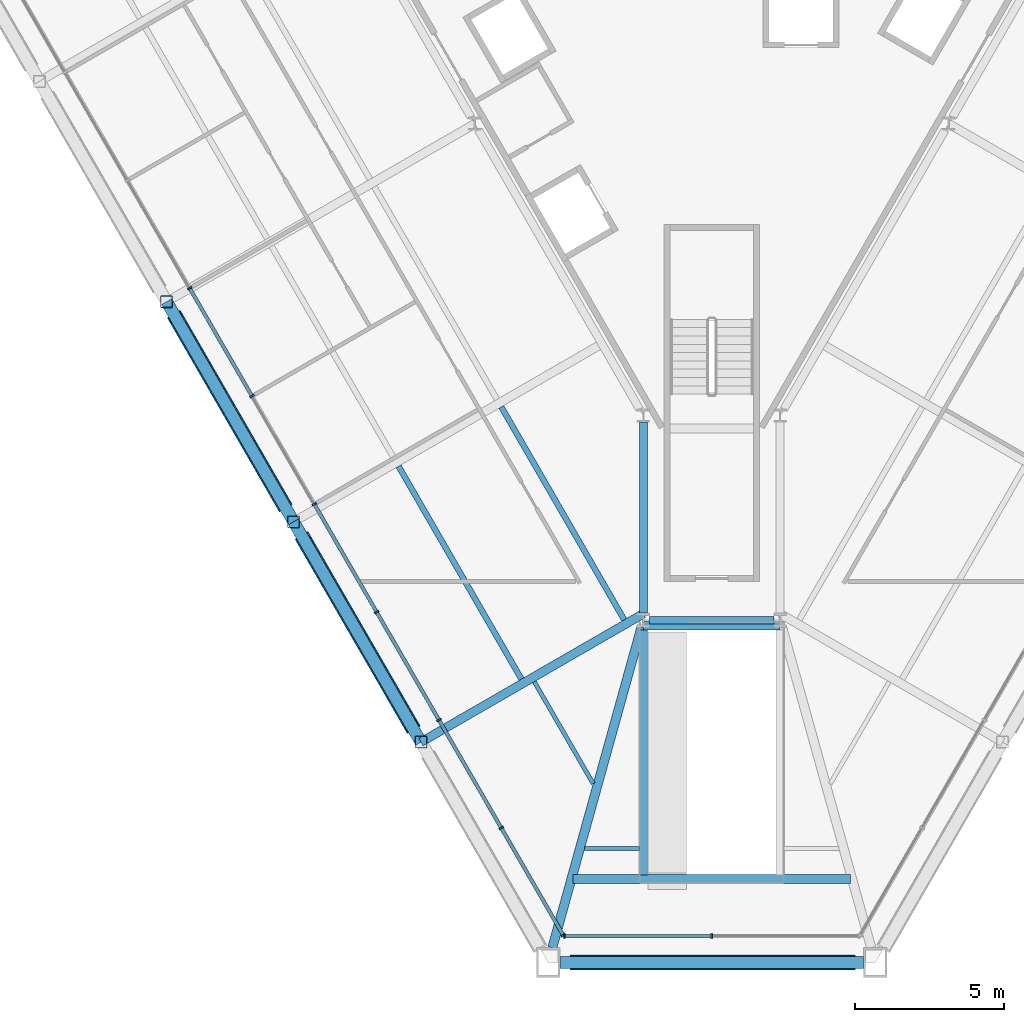
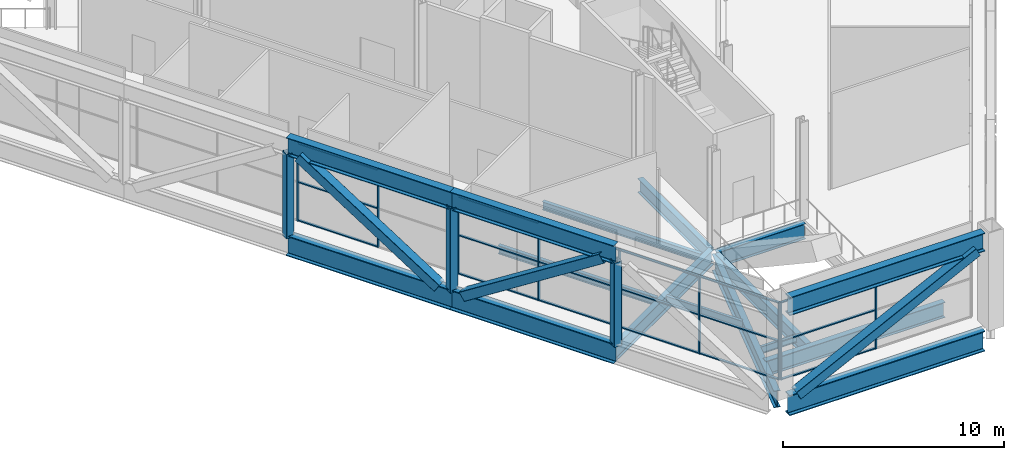
# One storey, part 2 of 20: 39 members, 11 beams, 2 elements without a shape of their own.
"""IFC4 building model written with IfcOpenShell, lengths in metres."""

from ifc_helpers import new_model, si_unit, direction, frame, origin, origin_2d, place, context, subcontext, project, spatial, rectangle, hollow_rectangle, i_section, extrude, material, layer, layer_set, material_profile, profile_set, type_object, element, aggregate, save


model = new_model("IFC4")

# Units and contexts
model_context = context("Model", 3, precision=1e-05, world=origin(), true_north=direction((0.0, 1.0)))
body_context = subcontext(model_context, "Body", "Model", "MODEL_VIEW")
ifc_project = project(units=[si_unit("LENGTHUNIT", "METRE"), si_unit("AREAUNIT", "SQUARE_METRE"), si_unit("VOLUMEUNIT", "CUBIC_METRE"), si_unit("PLANEANGLEUNIT", "RADIAN"), si_unit("MASSUNIT", "GRAM", prefix="KILO")], contexts=[model_context])

# Site, building, storey
site_placement = place(None, origin())
site = spatial("IfcSite", under=ifc_project, at=site_placement, CompositionType="ELEMENT")
building_placement = place(site_placement, origin())
building = spatial("IfcBuilding", under=site, at=building_placement, Name="Verrane Prism Tower", CompositionType="ELEMENT")
storey_placement = place(building_placement, frame((0.0, 0.0, 12.0)))
storey = spatial("IfcBuildingStorey", under=building, at=storey_placement, Name="L01", CompositionType="ELEMENT", Elevation=12.0)

# Curtain wall, members
ifc_material_1 = material(Name="Aluminium and glass curtain wall", Category="aluminium")
ifc_layer = layer(ifc_material_1, 0.199951171875)
ifc_layer_set = layer_set([ifc_layer], Name="CWB-1 retail curtain wall")
curtain_wall_type = type_object("IfcCurtainWallType", Name="CWB-1 retail curtain wall", PredefinedType="NOTDEFINED", material=ifc_layer_set)
curtain_wall_1_placement = place(storey_placement, origin())
curtain_wall_1 = element("IfcCurtainWall", 1, at=curtain_wall_1_placement, inside=storey, type_object=curtain_wall_type, Name="Retail curtain wall L01 4", PredefinedType="NOTDEFINED")
ifc_material_2 = material(Name="Aluminium", Category="aluminium")
ifc_material_profile_1 = material_profile(ifc_material_2, rectangle(XDim=0.159912109375, YDim=0.06005859375, at=origin_2d()), Name="CWB-M 60x160 mullion")
ifc_profile_set_1 = profile_set([ifc_material_profile_1], Name="Aluminium")
member_type_1 = type_object("IfcMemberType", Name="CWB-M 60x160 mullion", PredefinedType="MULLION", material=ifc_profile_set_1)
member_1_placement = place(storey_placement, frame((-17.554443359375, -10.135009765625, 0.0), z_axis=(0.0, 0.0, 1.0), x_axis=(0.866025335097, 0.50000011897, 0.0)))
member_1 = element("IfcMember", 2, at=member_1_placement, type_object=member_type_1, Name="CWB14 mullion 7", PredefinedType="MULLION", context=body_context, shape_type="SweptSolid", body=[
    extrude(rectangle(XDim=0.159912109375, YDim=0.06005859375, at=origin_2d()), origin(), (0.0, 0.0, 1.0), 4.2900390625),
])
member_2_placement = place(storey_placement, frame((-15.458740234375, -13.764892578125, 0.0), z_axis=(0.0, 0.0, 1.0), x_axis=(0.866025335097, 0.50000011897, 0.0)))
member_2 = element("IfcMember", 3, at=member_2_placement, type_object=member_type_1, Name="CWB14 mullion 8", PredefinedType="MULLION", context=body_context, shape_type="SweptSolid", body=[
    extrude(rectangle(XDim=0.159912109375, YDim=0.06005859375, at=origin_2d()), origin(), (0.0, 0.0, 1.0), 4.2900390625),
])
member_3_placement = place(storey_placement, frame((-13.363037109375, -17.39453125, 0.0), z_axis=(0.0, 0.0, 1.0), x_axis=(0.866025335097, 0.50000011897, 0.0)))
member_3 = element("IfcMember", 4, at=member_3_placement, type_object=member_type_1, Name="CWB14 mullion 9", PredefinedType="MULLION", context=body_context, shape_type="SweptSolid", body=[
    extrude(rectangle(XDim=0.159912109375, YDim=0.06005859375, at=origin_2d()), origin(), (0.0, 0.0, 1.0), 4.2900390625),
])
member_4_placement = place(storey_placement, frame((-11.267333984375, -21.0244140625, 0.0), z_axis=(0.0, 0.0, 1.0), x_axis=(0.866025335097, 0.50000011897, 0.0)))
member_4 = element("IfcMember", 5, at=member_4_placement, type_object=member_type_1, Name="CWB14 mullion 10", PredefinedType="MULLION", context=body_context, shape_type="SweptSolid", body=[
    extrude(rectangle(XDim=0.159912109375, YDim=0.06005859375, at=origin_2d()), origin(), (0.0, 0.0, 1.0), 4.2900390625),
])
member_5_placement = place(storey_placement, frame((-9.171630859375, -24.654052734375, 0.0), z_axis=(0.0, 0.0, 1.0), x_axis=(0.866025335097, 0.50000011897, 0.0)))
member_5 = element("IfcMember", 6, at=member_5_placement, type_object=member_type_1, Name="CWB14 mullion 11", PredefinedType="MULLION", context=body_context, shape_type="SweptSolid", body=[
    extrude(rectangle(XDim=0.159912109375, YDim=0.06005859375, at=origin_2d()), origin(), (0.0, 0.0, 1.0), 4.2900390625),
])
member_6_placement = place(storey_placement, frame((-7.075927734375, -28.283935546875, 0.0), z_axis=(0.0, 0.0, 1.0), x_axis=(0.866025335097, 0.50000011897, 0.0)))
member_6 = element("IfcMember", 7, at=member_6_placement, type_object=member_type_1, Name="CWB14 mullion 12", PredefinedType="MULLION", context=body_context, shape_type="SweptSolid", body=[
    extrude(rectangle(XDim=0.159912109375, YDim=0.06005859375, at=origin_2d()), origin(), (0.0, 0.0, 1.0), 4.2900390625),
])
member_7_placement = place(storey_placement, frame((-4.995361328125, -31.8876953125, 0.0), z_axis=(0.0, 0.0, 1.0), x_axis=(0.866025335097, 0.50000011897, 0.0)))
member_7 = element("IfcMember", 8, at=member_7_placement, type_object=member_type_1, Name="CWB14 mullion 13", PredefinedType="MULLION", context=body_context, shape_type="SweptSolid", body=[
    extrude(rectangle(XDim=0.159912109375, YDim=0.06005859375, at=origin_2d()), origin(), (0.0, 0.0, 1.0), 4.2900390625),
])

curtain_wall_2_placement = place(storey_placement, origin())
curtain_wall_2 = element("IfcCurtainWall", 9, at=curtain_wall_2_placement, inside=storey, type_object=curtain_wall_type, Name="Retail curtain wall L01 5", PredefinedType="NOTDEFINED")
member_8_placement = place(storey_placement, frame((-4.950439453125, -31.913818359375, 0.0), z_axis=(0.0, 0.0, 1.0), x_axis=(0.0, 1.0, 0.0)))
member_8 = element("IfcMember", 10, at=member_8_placement, type_object=member_type_1, Name="CWB15 mullion 1", PredefinedType="MULLION", context=body_context, shape_type="SweptSolid", body=[
    extrude(rectangle(XDim=0.159912109375, YDim=0.06005859375, at=origin_2d()), origin(), (0.0, 0.0, 1.0), 4.2900390625),
])
member_9_placement = place(storey_placement, frame((0.0, -31.913818359375, 0.0), z_axis=(0.0, 0.0, 1.0), x_axis=(0.0, 1.0, 0.0)))
member_9 = element("IfcMember", 11, at=member_9_placement, type_object=member_type_1, Name="CWB15 mullion 2", PredefinedType="MULLION", context=body_context, shape_type="SweptSolid", body=[
    extrude(rectangle(XDim=0.159912109375, YDim=0.06005859375, at=origin_2d()), origin(), (0.0, 0.0, 1.0), 4.2900390625),
])

# Member
ifc_material_3 = material(Name="Aluminium", Category="aluminium")
ifc_material_profile_2 = material_profile(ifc_material_3, rectangle(XDim=0.1201171875, YDim=0.06005859375, at=origin_2d()), Name="CWB-T 60x120 transom")
ifc_profile_set_2 = profile_set([ifc_material_profile_2], Name="Aluminium")
member_type_2 = type_object("IfcMemberType", Name="CWB-T 60x120 transom", PredefinedType="USERDEFINED", material=ifc_profile_set_2)
member_10_placement = place(storey_placement, frame((-17.539306640625, -10.160888671875, 0.030029296875), z_axis=(0.499996977546, -0.866027148792, 0.0), x_axis=(0.866027148792, 0.499996977546, 0.0)))
member_10 = element("IfcMember", 12, at=member_10_placement, type_object=member_type_2, Name="CWB14 transom 7.1", ObjectType="TRANSOM", PredefinedType="USERDEFINED", context=body_context, shape_type="SweptSolid", body=[
    extrude(rectangle(XDim=0.1201171875, YDim=0.06005859375, at=origin_2d()), origin(), (0.0, 0.0, 1.0), 4.13134765625),
])

member_11_placement = place(storey_placement, frame((-17.539306640625, -10.160888671875, 2.14501953125), z_axis=(0.499996977546, -0.866027148792, 0.0), x_axis=(0.866027148792, 0.499996977546, 0.0)))
member_11 = element("IfcMember", 13, at=member_11_placement, type_object=member_type_2, Name="CWB14 transom 7.2", ObjectType="TRANSOM", PredefinedType="USERDEFINED", context=body_context, shape_type="SweptSolid", body=[
    extrude(rectangle(XDim=0.1201171875, YDim=0.06005859375, at=origin_2d()), origin(), (0.0, 0.0, 1.0), 4.13134765625),
])

member_12_placement = place(storey_placement, frame((-17.539306640625, -10.160888671875, 4.260009765625), z_axis=(0.499996977546, -0.866027148792, 0.0), x_axis=(0.866027148792, 0.499996977546, 0.0)))
member_12 = element("IfcMember", 14, at=member_12_placement, type_object=member_type_2, Name="CWB14 transom 7.3", ObjectType="TRANSOM", PredefinedType="USERDEFINED", context=body_context, shape_type="SweptSolid", body=[
    extrude(rectangle(XDim=0.1201171875, YDim=0.06005859375, at=origin_2d()), origin(), (0.0, 0.0, 1.0), 4.13134765625),
])

member_13_placement = place(storey_placement, frame((-13.347900390625, -17.420654296875, 0.030029296875), z_axis=(0.499978243488, -0.866037964548, 0.0), x_axis=(0.866037964548, 0.499978243488, 0.0)))
member_13 = element("IfcMember", 15, at=member_13_placement, type_object=member_type_2, Name="CWB14 transom 9.1", ObjectType="TRANSOM", PredefinedType="USERDEFINED", context=body_context, shape_type="SweptSolid", body=[
    extrude(rectangle(XDim=0.1201171875, YDim=0.06005859375, at=origin_2d()), origin(), (0.0, 0.0, 1.0), 4.131103515625),
])

member_14_placement = place(storey_placement, frame((-13.347900390625, -17.420654296875, 2.14501953125), z_axis=(0.499978243488, -0.866037964548, 0.0), x_axis=(0.866037964548, 0.499978243488, 0.0)))
member_14 = element("IfcMember", 16, at=member_14_placement, type_object=member_type_2, Name="CWB14 transom 9.2", ObjectType="TRANSOM", PredefinedType="USERDEFINED", context=body_context, shape_type="SweptSolid", body=[
    extrude(rectangle(XDim=0.1201171875, YDim=0.06005859375, at=origin_2d()), origin(), (0.0, 0.0, 1.0), 4.131103515625),
])

member_15_placement = place(storey_placement, frame((-13.347900390625, -17.420654296875, 4.260009765625), z_axis=(0.499978243488, -0.866037964548, 0.0), x_axis=(0.866037964548, 0.499978243488, 0.0)))
member_15 = element("IfcMember", 17, at=member_15_placement, type_object=member_type_2, Name="CWB14 transom 9.3", ObjectType="TRANSOM", PredefinedType="USERDEFINED", context=body_context, shape_type="SweptSolid", body=[
    extrude(rectangle(XDim=0.1201171875, YDim=0.06005859375, at=origin_2d()), origin(), (0.0, 0.0, 1.0), 4.131103515625),
])

member_16_placement = place(storey_placement, frame((-11.25244140625, -21.05029296875, 0.030029296875), z_axis=(0.499996977546, -0.866027148792, 0.0), x_axis=(0.866027148792, 0.499996977546, 0.0)))
member_16 = element("IfcMember", 18, at=member_16_placement, type_object=member_type_2, Name="CWB14 transom 10.1", ObjectType="TRANSOM", PredefinedType="USERDEFINED", context=body_context, shape_type="SweptSolid", body=[
    extrude(rectangle(XDim=0.1201171875, YDim=0.06005859375, at=origin_2d()), origin(), (0.0, 0.0, 1.0), 4.13134765625),
])

member_17_placement = place(storey_placement, frame((-11.25244140625, -21.05029296875, 2.14501953125), z_axis=(0.499996977546, -0.866027148792, 0.0), x_axis=(0.866027148792, 0.499996977546, 0.0)))
member_17 = element("IfcMember", 19, at=member_17_placement, type_object=member_type_2, Name="CWB14 transom 10.2", ObjectType="TRANSOM", PredefinedType="USERDEFINED", context=body_context, shape_type="SweptSolid", body=[
    extrude(rectangle(XDim=0.1201171875, YDim=0.06005859375, at=origin_2d()), origin(), (0.0, 0.0, 1.0), 4.13134765625),
])

member_18_placement = place(storey_placement, frame((-11.25244140625, -21.05029296875, 4.260009765625), z_axis=(0.499996977546, -0.866027148792, 0.0), x_axis=(0.866027148792, 0.499996977546, 0.0)))
member_18 = element("IfcMember", 20, at=member_18_placement, type_object=member_type_2, Name="CWB14 transom 10.3", ObjectType="TRANSOM", PredefinedType="USERDEFINED", context=body_context, shape_type="SweptSolid", body=[
    extrude(rectangle(XDim=0.1201171875, YDim=0.06005859375, at=origin_2d()), origin(), (0.0, 0.0, 1.0), 4.13134765625),
])

member_19_placement = place(storey_placement, frame((-9.15673828125, -24.68017578125, 0.030029296875), z_axis=(0.499996977546, -0.866027148792, 0.0), x_axis=(0.866027148792, 0.499996977546, 0.0)))
member_19 = element("IfcMember", 21, at=member_19_placement, type_object=member_type_2, Name="CWB14 transom 11.1", ObjectType="TRANSOM", PredefinedType="USERDEFINED", context=body_context, shape_type="SweptSolid", body=[
    extrude(rectangle(XDim=0.1201171875, YDim=0.06005859375, at=origin_2d()), origin(), (0.0, 0.0, 1.0), 4.13134765625),
])

member_20_placement = place(storey_placement, frame((-9.15673828125, -24.68017578125, 2.14501953125), z_axis=(0.499996977546, -0.866027148792, 0.0), x_axis=(0.866027148792, 0.499996977546, 0.0)))
member_20 = element("IfcMember", 22, at=member_20_placement, type_object=member_type_2, Name="CWB14 transom 11.2", ObjectType="TRANSOM", PredefinedType="USERDEFINED", context=body_context, shape_type="SweptSolid", body=[
    extrude(rectangle(XDim=0.1201171875, YDim=0.06005859375, at=origin_2d()), origin(), (0.0, 0.0, 1.0), 4.13134765625),
])

member_21_placement = place(storey_placement, frame((-9.15673828125, -24.68017578125, 4.260009765625), z_axis=(0.499996977546, -0.866027148792, 0.0), x_axis=(0.866027148792, 0.499996977546, 0.0)))
member_21 = element("IfcMember", 23, at=member_21_placement, type_object=member_type_2, Name="CWB14 transom 11.3", ObjectType="TRANSOM", PredefinedType="USERDEFINED", context=body_context, shape_type="SweptSolid", body=[
    extrude(rectangle(XDim=0.1201171875, YDim=0.06005859375, at=origin_2d()), origin(), (0.0, 0.0, 1.0), 4.13134765625),
])

member_22_placement = place(storey_placement, frame((-7.06103515625, -28.309814453125, 0.030029296875), z_axis=(0.499961200281, -0.866047803654, 0.0), x_axis=(0.866047803654, 0.499961200281, 0.0)))
member_22 = element("IfcMember", 24, at=member_22_placement, type_object=member_type_2, Name="CWB14 transom 12.1", ObjectType="TRANSOM", PredefinedType="USERDEFINED", context=body_context, shape_type="SweptSolid", body=[
    extrude(rectangle(XDim=0.1201171875, YDim=0.06005859375, at=origin_2d()), origin(), (0.0, 0.0, 1.0), 4.101318359375),
])

member_23_placement = place(storey_placement, frame((-7.06103515625, -28.309814453125, 2.14501953125), z_axis=(0.499961200281, -0.866047803654, 0.0), x_axis=(0.866047803654, 0.499961200281, 0.0)))
member_23 = element("IfcMember", 25, at=member_23_placement, type_object=member_type_2, Name="CWB14 transom 12.2", ObjectType="TRANSOM", PredefinedType="USERDEFINED", context=body_context, shape_type="SweptSolid", body=[
    extrude(rectangle(XDim=0.1201171875, YDim=0.06005859375, at=origin_2d()), origin(), (0.0, 0.0, 1.0), 4.101318359375),
])

member_24_placement = place(storey_placement, frame((-7.06103515625, -28.309814453125, 4.260009765625), z_axis=(0.499961200281, -0.866047803654, 0.0), x_axis=(0.866047803654, 0.499961200281, 0.0)))
member_24 = element("IfcMember", 26, at=member_24_placement, type_object=member_type_2, Name="CWB14 transom 12.3", ObjectType="TRANSOM", PredefinedType="USERDEFINED", context=body_context, shape_type="SweptSolid", body=[
    extrude(rectangle(XDim=0.1201171875, YDim=0.06005859375, at=origin_2d()), origin(), (0.0, 0.0, 1.0), 4.101318359375),
])

aggregate(curtain_wall_1, [member_1, member_2, member_3, member_4, member_5, member_6, member_7, member_10, member_11, member_12, member_13, member_14, member_15, member_16, member_17, member_18, member_19, member_20, member_21, member_22, member_23, member_24])

member_25_placement = place(storey_placement, frame((-4.92041015625, -31.913818359375, 0.030029296875), z_axis=(1.0, 0.0, 0.0), x_axis=(0.0, 1.0, 0.0)))
member_25 = element("IfcMember", 27, at=member_25_placement, type_object=member_type_2, Name="CWB15 transom 1.1", ObjectType="TRANSOM", PredefinedType="USERDEFINED", context=body_context, shape_type="SweptSolid", body=[
    extrude(rectangle(XDim=0.1201171875, YDim=0.06005859375, at=origin_2d()), origin(), (0.0, 0.0, 1.0), 4.890380859375),
])

member_26_placement = place(storey_placement, frame((-4.92041015625, -31.913818359375, 2.14501953125), z_axis=(1.0, 0.0, 0.0), x_axis=(0.0, 1.0, 0.0)))
member_26 = element("IfcMember", 28, at=member_26_placement, type_object=member_type_2, Name="CWB15 transom 1.2", ObjectType="TRANSOM", PredefinedType="USERDEFINED", context=body_context, shape_type="SweptSolid", body=[
    extrude(rectangle(XDim=0.1201171875, YDim=0.06005859375, at=origin_2d()), origin(), (0.0, 0.0, 1.0), 4.890380859375),
])

member_27_placement = place(storey_placement, frame((-4.92041015625, -31.913818359375, 4.260009765625), z_axis=(1.0, 0.0, 0.0), x_axis=(0.0, 1.0, 0.0)))
member_27 = element("IfcMember", 29, at=member_27_placement, type_object=member_type_2, Name="CWB15 transom 1.3", ObjectType="TRANSOM", PredefinedType="USERDEFINED", context=body_context, shape_type="SweptSolid", body=[
    extrude(rectangle(XDim=0.1201171875, YDim=0.06005859375, at=origin_2d()), origin(), (0.0, 0.0, 1.0), 4.890380859375),
])

aggregate(curtain_wall_2, [member_8, member_9, member_25, member_26, member_27])

# Beams
ifc_material_4 = material(Name="Steel A992", Category="steel")
ifc_material_profile_3 = material_profile(ifc_material_4, i_section(OverallWidth=0.2666015625, OverallDepth=0.76708984375, WebThickness=0.014892578125, FlangeThickness=0.023681640625, FilletRadius=0.0166015625, at=origin_2d()), Name="W30x124")
ifc_profile_set_3 = profile_set([ifc_material_profile_3], Name="Steel A992")
beam_type_1 = type_object("IfcBeamType", Name="Core ring girder W30x124", PredefinedType="BEAM", material=ifc_profile_set_3)
beam_1_placement = place(storey_placement, frame((-2.300048828125, -14.63720703125, -0.633544921875), z_axis=(0.0, -1.0, 0.0), x_axis=(1.0, 0.0, 0.0)))
element("IfcBeam", 30, at=beam_1_placement, inside=storey, type_object=beam_type_1, Name="Core ring girder L01", PredefinedType="BEAM", context=body_context, shape_type="SweptSolid", body=[
    extrude(i_section(OverallWidth=0.2666015625, OverallDepth=0.76708984375, WebThickness=0.014892578125, FlangeThickness=0.023681640625, FilletRadius=0.0166015625, at=origin_2d()), origin(), (0.0, 0.0, 1.0), 6.42529296875),
])
beam_2_placement = place(storey_placement, frame((-2.087890625, -21.300048828125, -0.633544921875), z_axis=(1.0, 0.0, 0.0), x_axis=(0.0, 1.0, 0.0)))
element("IfcBeam", 31, at=beam_2_placement, inside=storey, type_object=beam_type_1, Name="Core ring girder L01", PredefinedType="BEAM", context=body_context, shape_type="SweptSolid", body=[
    extrude(i_section(OverallWidth=0.2666015625, OverallDepth=0.76708984375, WebThickness=0.014892578125, FlangeThickness=0.023681640625, FilletRadius=0.0166015625, at=origin_2d()), origin(), (0.0, 0.0, 1.0), 4.17578125),
])
ifc_material_5 = material(Name="Steel A992", Category="steel")
ifc_material_profile_4 = material_profile(ifc_material_5, i_section(OverallWidth=0.307373046875, OverallDepth=0.927001953125, WebThickness=0.01953125, FlangeThickness=0.031982421875, FilletRadius=0.01904296875, at=origin_2d()), Name="W36x194")
ifc_profile_set_4 = profile_set([ifc_material_profile_4], Name="Steel A992")
beam_type_2 = type_object("IfcBeamType", Name="Corner girder W36x194", PredefinedType="BEAM", material=ifc_profile_set_4)
beam_3_placement = place(storey_placement, frame((-5.361083984375, -32.31005859375, -0.68359375), z_axis=(0.267873594468, 0.963454066049, 0.0), x_axis=(-0.963454066049, 0.267873594468, 0.0)))
element("IfcBeam", 32, at=beam_3_placement, inside=storey, type_object=beam_type_2, Name="Corner girder L01", PredefinedType="BEAM", context=body_context, shape_type="SweptSolid", body=[
    extrude(i_section(OverallWidth=0.307373046875, OverallDepth=0.927001953125, WebThickness=0.01953125, FlangeThickness=0.031982421875, FilletRadius=0.01904296875, at=origin_2d()), origin(), (0.0, 0.0, 1.0), 11.18115234375),
])
ifc_material_6 = material(Name="Steel A992", Category="steel")
ifc_material_profile_5 = material_profile(ifc_material_6, i_section(OverallWidth=0.140380859375, OverallDepth=0.40380859375, WebThickness=0.007080078125, FlangeThickness=0.01123046875, FilletRadius=0.01025390625, at=origin_2d()), Name="W16x31")
ifc_profile_set_5 = profile_set([ifc_material_profile_5], Name="Steel A992")
beam_type_3 = type_object("IfcBeamType", Name="Floor beam W16x31", PredefinedType="BEAM", material=ifc_profile_set_5)
beam_4_placement = place(storey_placement, frame((-3.9873046875, -26.795654296875, -0.36181640625), z_axis=(-0.499978641112, 0.866037734993, 0.0), x_axis=(-0.866037734993, -0.499978641112, 0.0)))
element("IfcBeam", 33, at=beam_4_placement, inside=storey, type_object=beam_type_3, Name="Floor beam L01", PredefinedType="BEAM", context=body_context, shape_type="SweptSolid", body=[
    extrude(i_section(OverallWidth=0.140380859375, OverallDepth=0.40380859375, WebThickness=0.007080078125, FlangeThickness=0.01123046875, FilletRadius=0.01025390625, at=origin_2d()), origin(), (0.0, 0.0, 1.0), 3.959716796875),
])
beam_5_placement = place(storey_placement, frame((-4.27392578125, -28.973388671875, -0.36181640625), z_axis=(1.0, 0.0, 0.0), x_axis=(0.0, 1.0, 0.0)))
element("IfcBeam", 34, at=beam_5_placement, inside=storey, type_object=beam_type_3, Name="Floor beam L01", PredefinedType="BEAM", context=body_context, shape_type="SweptSolid", body=[
    extrude(i_section(OverallWidth=0.140380859375, OverallDepth=0.40380859375, WebThickness=0.007080078125, FlangeThickness=0.01123046875, FilletRadius=0.01025390625, at=origin_2d()), origin(), (0.0, 0.0, 1.0), 1.84033203125),
])
ifc_material_7 = material(Name="Steel A992", Category="steel")
ifc_material_profile_6 = material_profile(ifc_material_7, i_section(OverallWidth=0.1904296875, OverallDepth=0.457275390625, WebThickness=0.009033203125, FlangeThickness=0.014404296875, FilletRadius=0.01025390625, at=origin_2d()), Name="W18x50")
ifc_profile_set_6 = profile_set([ifc_material_profile_6], Name="Steel A992")
beam_type_4 = type_object("IfcBeamType", Name="Floor beam W18x50", PredefinedType="BEAM", material=ifc_profile_set_6)
beam_6_placement = place(storey_placement, frame((-2.943603515625, -21.283203125, -0.388671875), z_axis=(-0.500014123243, 0.866017249573, 0.0), x_axis=(-0.866017249573, -0.500014123243, 0.0)))
element("IfcBeam", 35, at=beam_6_placement, inside=storey, type_object=beam_type_4, Name="Floor beam L01", PredefinedType="BEAM", context=body_context, shape_type="SweptSolid", body=[
    extrude(i_section(OverallWidth=0.1904296875, OverallDepth=0.457275390625, WebThickness=0.009033203125, FlangeThickness=0.014404296875, FilletRadius=0.01025390625, at=origin_2d()), origin(), (0.0, 0.0, 1.0), 8.260009765625),
])
beam_7_placement = place(storey_placement, frame((-6.39892578125, -23.27880859375, -0.388671875), z_axis=(-0.499996977546, 0.866027148792, 0.0), x_axis=(-0.866027148792, -0.499996977546, 0.0)))
element("IfcBeam", 36, at=beam_7_placement, inside=storey, type_object=beam_type_4, Name="Floor beam L01", PredefinedType="BEAM", context=body_context, shape_type="SweptSolid", body=[
    extrude(i_section(OverallWidth=0.1904296875, OverallDepth=0.457275390625, WebThickness=0.009033203125, FlangeThickness=0.014404296875, FilletRadius=0.01025390625, at=origin_2d()), origin(), (0.0, 0.0, 1.0), 8.2626953125),
])
ifc_material_8 = material(Name="Steel A992", Category="steel")
ifc_material_profile_7 = material_profile(ifc_material_8, i_section(OverallWidth=0.2919921875, OverallDepth=0.845703125, WebThickness=0.015380859375, FlangeThickness=0.0244140625, FilletRadius=0.017822265625, at=origin_2d()), Name="W33x141")
ifc_profile_set_7 = profile_set([ifc_material_profile_7], Name="Steel A992")
beam_type_5 = type_object("IfcBeamType", Name="Radial girder W33x141", PredefinedType="BEAM", material=ifc_profile_set_7)
beam_8_placement = place(storey_placement, frame((-9.780029296875, -25.39990234375, -0.642822265625), z_axis=(0.866023660206, 0.500003019955, 0.0), x_axis=(-0.500003019955, 0.866023660206, 0.0)))
element("IfcBeam", 37, at=beam_8_placement, inside=storey, type_object=beam_type_5, Name="Radial girder L01", PredefinedType="BEAM", context=body_context, shape_type="SweptSolid", body=[
    extrude(i_section(OverallWidth=0.2919921875, OverallDepth=0.845703125, WebThickness=0.015380859375, FlangeThickness=0.0244140625, FilletRadius=0.017822265625, at=origin_2d()), origin(), (0.0, 0.0, 1.0), 8.63720703125),
])
ifc_material_9 = material(Name="Steel A992", Category="steel")
ifc_material_profile_8 = material_profile(ifc_material_9, i_section(OverallWidth=0.2666015625, OverallDepth=0.76708984375, WebThickness=0.014892578125, FlangeThickness=0.023681640625, FilletRadius=0.0166015625, at=origin_2d()), Name="W30x124")
ifc_profile_set_8 = profile_set([ifc_material_profile_8], Name="Steel A992")
beam_type_6 = type_object("IfcBeamType", Name="Slab edge girder W30x124", PredefinedType="BEAM", material=ifc_profile_set_8)
beam_9_placement = place(storey_placement, frame((-2.300048828125, -21.6298828125, -0.54345703125), z_axis=(0.0, -1.0, 0.0), x_axis=(1.0, 0.0, 0.0)))
element("IfcBeam", 38, at=beam_9_placement, inside=storey, type_object=beam_type_6, Name="Slab edge girder L01", PredefinedType="BEAM", context=body_context, shape_type="SweptSolid", body=[
    extrude(i_section(OverallWidth=0.2666015625, OverallDepth=0.76708984375, WebThickness=0.014892578125, FlangeThickness=0.023681640625, FilletRadius=0.0166015625, at=origin_2d()), origin(), (0.0, 0.0, 1.0), 8.230224609375),
])
ifc_material_10 = material(Name="Steel A992", Category="steel")
ifc_material_profile_9 = material_profile(ifc_material_10, i_section(OverallWidth=0.2919921875, OverallDepth=0.845703125, WebThickness=0.015380859375, FlangeThickness=0.0244140625, FilletRadius=0.017822265625, at=origin_2d()), Name="W33x141")
ifc_profile_set_9 = profile_set([ifc_material_profile_9], Name="Steel A992")
beam_type_7 = type_object("IfcBeamType", Name="Slab edge girder W33x141", PredefinedType="BEAM", material=ifc_profile_set_9)
beam_10_placement = place(storey_placement, frame((-4.668701171875, -30.0, -0.5830078125), z_axis=(1.0, 0.0, 0.0), x_axis=(0.0, 1.0, 0.0)))
element("IfcBeam", 39, at=beam_10_placement, inside=storey, type_object=beam_type_7, Name="Slab edge girder L01", PredefinedType="BEAM", context=body_context, shape_type="SweptSolid", body=[
    extrude(i_section(OverallWidth=0.2919921875, OverallDepth=0.845703125, WebThickness=0.015380859375, FlangeThickness=0.0244140625, FilletRadius=0.017822265625, at=origin_2d()), origin(), (0.0, 0.0, 1.0), 9.33740234375),
])
beam_11_placement = place(storey_placement, frame((2.302734375, -21.489990234375, -0.5830078125), z_axis=(-1.0, 0.0, 0.0), x_axis=(0.0, -1.0, 0.0)))
element("IfcBeam", 40, at=beam_11_placement, inside=storey, type_object=beam_type_7, Name="Slab edge girder L01", PredefinedType="BEAM", context=body_context, shape_type="SweptSolid", body=[
    extrude(i_section(OverallWidth=0.2919921875, OverallDepth=0.845703125, WebThickness=0.015380859375, FlangeThickness=0.0244140625, FilletRadius=0.017822265625, at=origin_2d()), origin(), (0.0, 0.0, 1.0), 4.60546875),
])

# Members
ifc_material_11 = material(Name="Steel A992", Category="steel")
ifc_material_profile_10 = material_profile(ifc_material_11, i_section(OverallWidth=0.4013671875, OverallDepth=1.000732421875, WebThickness=0.01904296875, FlangeThickness=0.0361328125, FilletRadius=0.030029296875, at=origin_2d()), Name="W40x249")
ifc_profile_set_10 = profile_set([ifc_material_profile_10], Name="Steel A992")
member_type_3 = type_object("IfcMemberType", Name="Transfer truss chord W40x249", PredefinedType="CHORD", material=ifc_profile_set_10)
member_28_placement = place(storey_placement, frame((-18.330078125, -10.590087890625, 4.739501953125), z_axis=(0.499796667154, -0.866142766235, 0.0), x_axis=(0.866142766235, 0.499796667154, 0.0)))
element("IfcMember", 41, at=member_28_placement, inside=storey, type_object=member_type_3, Name="Truss chord L01", PredefinedType="CHORD", context=body_context, shape_type="SweptSolid", body=[
    extrude(i_section(OverallWidth=0.4013671875, OverallDepth=1.000732421875, WebThickness=0.01904296875, FlangeThickness=0.0361328125, FilletRadius=0.030029296875, at=origin_2d()), origin(), (0.0, 0.0, 1.0), 8.54345703125),
])
member_29_placement = place(storey_placement, frame((-14.06005859375, -17.989990234375, 4.739501953125), z_axis=(0.500167792183, -0.865928507247, 0.0), x_axis=(0.865928507247, 0.500167792183, 0.0)))
element("IfcMember", 42, at=member_29_placement, inside=storey, type_object=member_type_3, Name="Truss chord L01", PredefinedType="CHORD", context=body_context, shape_type="SweptSolid", body=[
    extrude(i_section(OverallWidth=0.4013671875, OverallDepth=1.000732421875, WebThickness=0.01904296875, FlangeThickness=0.0361328125, FilletRadius=0.030029296875, at=origin_2d()), origin(), (0.0, 0.0, 1.0), 8.55712890625),
])
member_30_placement = place(storey_placement, frame((-5.10009765625, -32.81005859375, 4.739501953125), z_axis=(1.0, 0.0, 0.0), x_axis=(0.0, 1.0, 0.0)))
element("IfcMember", 43, at=member_30_placement, inside=storey, type_object=member_type_3, Name="Truss chord L01", PredefinedType="CHORD", context=body_context, shape_type="SweptSolid", body=[
    extrude(i_section(OverallWidth=0.4013671875, OverallDepth=1.000732421875, WebThickness=0.01904296875, FlangeThickness=0.0361328125, FilletRadius=0.030029296875, at=origin_2d()), origin(), (0.0, 0.0, 1.0), 10.2001953125),
])
ifc_material_12 = material(Name="Steel A992", Category="steel")
ifc_material_profile_11 = material_profile(ifc_material_12, i_section(OverallWidth=0.40380859375, OverallDepth=1.11767578125, WebThickness=0.026123046875, FlangeThickness=0.044921875, FilletRadius=0.02001953125, at=origin_2d()), Name="W44x335")
ifc_profile_set_11 = profile_set([ifc_material_profile_11], Name="Steel A992")
member_type_4 = type_object("IfcMemberType", Name="Transfer truss chord W44x335", PredefinedType="CHORD", material=ifc_profile_set_11)
member_31_placement = place(storey_placement, frame((-18.330078125, -10.590087890625, -0.72119140625), z_axis=(0.499796667154, -0.866142766235, 0.0), x_axis=(0.866142766235, 0.499796667154, 0.0)))
element("IfcMember", 44, at=member_31_placement, inside=storey, type_object=member_type_4, Name="Truss chord L01", PredefinedType="CHORD", context=body_context, shape_type="SweptSolid", body=[
    extrude(i_section(OverallWidth=0.40380859375, OverallDepth=1.11767578125, WebThickness=0.026123046875, FlangeThickness=0.044921875, FilletRadius=0.02001953125, at=origin_2d()), origin(), (0.0, 0.0, 1.0), 8.54345703125),
])
member_32_placement = place(storey_placement, frame((-14.06005859375, -17.989990234375, -0.72119140625), z_axis=(0.500167792183, -0.865928507247, 0.0), x_axis=(0.865928507247, 0.500167792183, 0.0)))
element("IfcMember", 45, at=member_32_placement, inside=storey, type_object=member_type_4, Name="Truss chord L01", PredefinedType="CHORD", context=body_context, shape_type="SweptSolid", body=[
    extrude(i_section(OverallWidth=0.40380859375, OverallDepth=1.11767578125, WebThickness=0.026123046875, FlangeThickness=0.044921875, FilletRadius=0.02001953125, at=origin_2d()), origin(), (0.0, 0.0, 1.0), 8.55712890625),
])
member_33_placement = place(storey_placement, frame((-5.10009765625, -32.81005859375, -0.72119140625), z_axis=(1.0, 0.0, 0.0), x_axis=(0.0, 1.0, 0.0)))
element("IfcMember", 46, at=member_33_placement, inside=storey, type_object=member_type_4, Name="Truss chord L01", PredefinedType="CHORD", context=body_context, shape_type="SweptSolid", body=[
    extrude(i_section(OverallWidth=0.40380859375, OverallDepth=1.11767578125, WebThickness=0.026123046875, FlangeThickness=0.044921875, FilletRadius=0.02001953125, at=origin_2d()), origin(), (0.0, 0.0, 1.0), 10.2001953125),
])
ifc_material_13 = material(Name="Steel A500 Grade C", Category="steel")
ifc_material_profile_12 = material_profile(ifc_material_13, hollow_rectangle(XDim=0.508056640625, YDim=0.508056640625, WallThickness=0.01904296875, InnerFilletRadius=0.009521484375, OuterFilletRadius=0.028564453125, at=origin_2d()), Name="HSS20x20x3/4")
ifc_profile_set_12 = profile_set([ifc_material_profile_12], Name="Steel A500 Grade C")
member_type_5 = type_object("IfcMemberType", Name="Transfer truss diagonal HSS20x20x3/4", PredefinedType="BRACE", material=ifc_profile_set_12)
member_34_placement = place(storey_placement, frame((-14.388671875, -17.42041015625, -0.30078125), z_axis=(-0.421118464236, 0.729810485592, 0.53854980661), x_axis=(-0.866147592672, -0.499788302893, 0.0)))
element("IfcMember", 47, at=member_34_placement, inside=storey, type_object=member_type_5, Name="Truss diagonal L01", PredefinedType="BRACE", context=body_context, shape_type="SweptSolid", body=[
    extrude(hollow_rectangle(XDim=0.508056640625, YDim=0.508056640625, WallThickness=0.01904296875, InnerFilletRadius=0.009521484375, OuterFilletRadius=0.028564453125, at=origin_2d()), origin(), (0.0, 0.0, 1.0), 8.634033203125),
])
member_35_placement = place(storey_placement, frame((-13.73046875, -18.560302734375, -0.30078125), z_axis=(0.421604520276, -0.729977143869, 0.537943303622), x_axis=(0.865947305477, 0.500135245845, 0.0)))
element("IfcMember", 48, at=member_35_placement, inside=storey, type_object=member_type_5, Name="Truss diagonal L01", PredefinedType="BRACE", context=body_context, shape_type="SweptSolid", body=[
    extrude(hollow_rectangle(XDim=0.508056640625, YDim=0.508056640625, WallThickness=0.01904296875, InnerFilletRadius=0.009521484375, OuterFilletRadius=0.028564453125, at=origin_2d()), origin(), (0.0, 0.0, 1.0), 8.643798828125),
])
member_36_placement = place(storey_placement, frame((-4.6533203125, -32.81005859375, -0.30078125), z_axis=(0.895702906463, 0.0, 0.444653014557), x_axis=(0.0, 1.0, 0.0)))
element("IfcMember", 49, at=member_36_placement, inside=storey, type_object=member_type_5, Name="Truss diagonal L01", PredefinedType="BRACE", context=body_context, shape_type="SweptSolid", body=[
    extrude(hollow_rectangle(XDim=0.508056640625, YDim=0.508056640625, WallThickness=0.01904296875, InnerFilletRadius=0.009521484375, OuterFilletRadius=0.028564453125, at=origin_2d()), origin(), (0.0, 0.0, 1.0), 10.457275390625),
])
ifc_material_14 = material(Name="Steel A500 Grade C", Category="steel")
ifc_material_profile_13 = material_profile(ifc_material_14, hollow_rectangle(XDim=0.406494140625, YDim=0.406494140625, WallThickness=0.01904296875, InnerFilletRadius=0.009521484375, OuterFilletRadius=0.028564453125, at=origin_2d()), Name="HSS16x16x3/4")
ifc_profile_set_13 = profile_set([ifc_material_profile_13], Name="Steel A500 Grade C")
member_type_6 = type_object("IfcMemberType", Name="Transfer truss post HSS16x16x3/4", PredefinedType="POST", material=ifc_profile_set_13)
for number, where, z_axis, x_axis, name in (
    (50, (-18.330078125, -10.590087890625, -0.30078125), (0.0, 0.0, 1.0), (1.0, 0.0, 0.0), "Truss post L01"),
    (51, (-14.06005859375, -17.989990234375, -0.30078125), (0.0, 0.0, 1.0), (1.0, 0.0, 0.0), "Truss post L01"),
    (52, (-9.780029296875, -25.39990234375, -0.30078125), (0.0, 0.0, 1.0), (1.0, 0.0, 0.0), "Truss post L01"),
):
    element("IfcMember", number, at=place(storey_placement, frame(where, z_axis=z_axis, x_axis=x_axis)), inside=storey, type_object=member_type_6, Name=name, PredefinedType="POST", context=body_context, shape_type="SweptSolid", body=[
        extrude(hollow_rectangle(XDim=0.406494140625, YDim=0.406494140625, WallThickness=0.01904296875, InnerFilletRadius=0.009521484375, OuterFilletRadius=0.028564453125, at=origin_2d()), origin(), (0.0, 0.0, 1.0), 4.64990234375),
    ])

save(model, "model.ifc")
